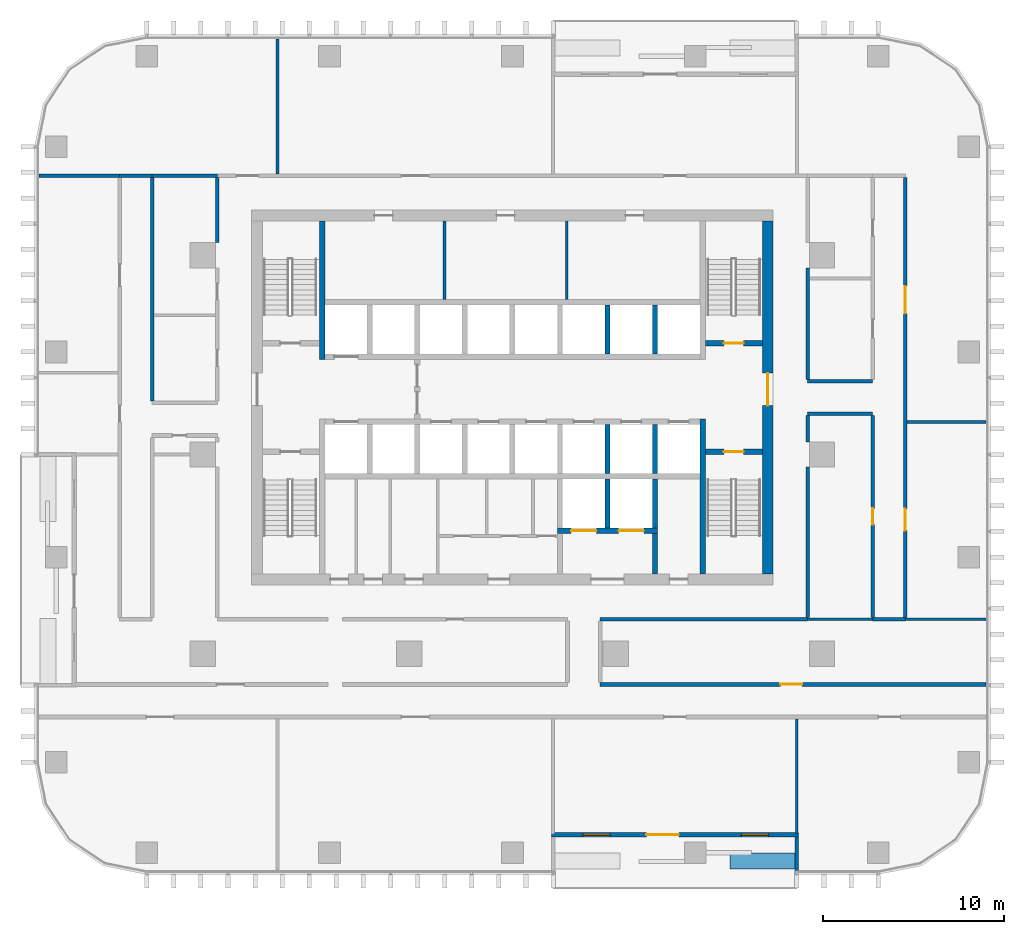
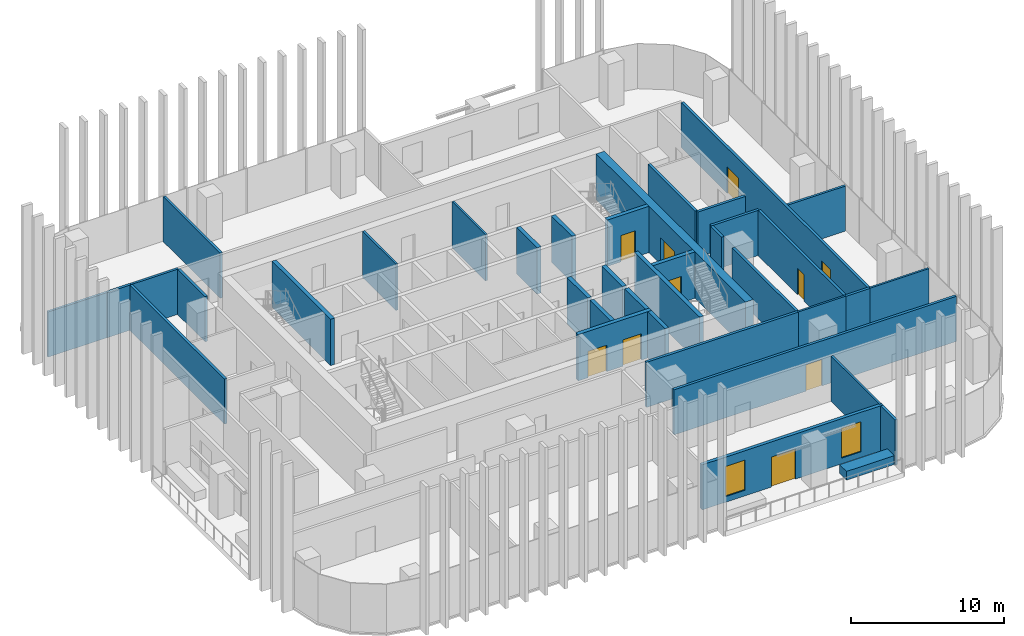
# One storey, part 9 of 16: 38 walls, 10 doors, 2 windows, 12 openings.
"""IFC4 building model written with IfcOpenShell, lengths in metres."""

from ifc_helpers import new_model, si_unit, direction, frame, frame_2d, origin, place, context, subcontext, project, spatial, rectangle, extrude, material, layer, layer_set, type_object, element, fill, save


model = new_model("IFC4")

# Units and contexts
model_context = context("Model", 3, precision=1e-05, world=origin(), true_north=direction((0.0, 1.0)))
body_context = subcontext(model_context, "Body", "Model", "MODEL_VIEW")
ifc_project = project(units=[si_unit("LENGTHUNIT", "METRE"), si_unit("AREAUNIT", "SQUARE_METRE"), si_unit("VOLUMEUNIT", "CUBIC_METRE"), si_unit("PLANEANGLEUNIT", "RADIAN"), si_unit("MASSUNIT", "GRAM", prefix="KILO")], contexts=[model_context])

# Site, building, storey
site_placement = place(None, origin())
site = spatial("IfcSite", under=ifc_project, at=site_placement, CompositionType="ELEMENT")
building_placement = place(site_placement, origin())
building = spatial("IfcBuilding", under=site, at=building_placement, Name="Mopane Tessera Tower", CompositionType="ELEMENT")
storey_placement = place(building_placement, frame((0.0, 0.0, 193.0)))
storey = spatial("IfcBuildingStorey", under=building, at=storey_placement, Name="L40", CompositionType="ELEMENT", Elevation=193.0)

# Walls
ifc_material_1 = material(Name="Fire-rated gypsum board partition")
ifc_layer_1 = layer(ifc_material_1, 0.14990234375)
ifc_layer_set_1 = layer_set([ifc_layer_1], Name="Fire-rated gypsum board partition")
wall_type_1 = type_object("IfcWallType", Name="Core room partition 150 mm", PredefinedType="PARTITIONING", material=ifc_layer_set_1)
for number, where, z_axis, x_axis, name in (
    (1, (-3.75, 8.550048828125, 0.0), (0.0, 0.0, 1.0), (0.0, 1.0, 0.0), "L40 Room partition"),
    (2, (3.0, 8.550048828125, 0.0), (0.0, 0.0, 1.0), (0.0, 1.0, 0.0), "L40 Room partition"),
):
    element("IfcWall", number, at=place(storey_placement, frame(where, z_axis=z_axis, x_axis=x_axis)), inside=storey, type_object=wall_type_1, Name=name, PredefinedType="PARTITIONING", context=body_context, shape_type="SweptSolid", body=[
        extrude(rectangle(XDim=4.349853515625, YDim=0.14990234375, at=frame_2d((2.1748046875, 0.0))), origin(), (0.0, 0.0, 1.0), 3.699951171875),
    ])

# Wall, opening, door
ifc_material_2 = material(Name="Concrete C70/85", Category="concrete")
ifc_layer_2 = layer(ifc_material_2, 0.60009765625)
ifc_layer_set_2 = layer_set([ifc_layer_2], Name="Concrete C70/85")
wall_type_2 = type_object("IfcWallType", Name="Core shear wall 600 mm", PredefinedType="SHEAR", material=ifc_layer_set_2)
wall_1_placement = place(storey_placement, frame((14.10009765625, -6.60009765625, 0.0), z_axis=(0.0, 0.0, 1.0), x_axis=(0.0, 1.0, 0.0)))
wall_1 = element("IfcWall", 3, at=wall_1_placement, inside=storey, type_object=wall_type_2, Name="L40 Core wall east", PredefinedType="SHEAR", context=body_context, shape_type="SweptSolid", body=[
    extrude(rectangle(XDim=19.5, YDim=0.60009765625, at=frame_2d((9.75, 0.0))), origin(), (0.0, 0.0, 1.0), 3.699951171875),
])
opening_1_placement = place(wall_1_placement, frame((9.300048828125, 0.0, 0.0)))
opening_1 = element("IfcOpeningElement", 4, at=opening_1_placement, cuts=wall_1, Name="Opening SD2", PredefinedType="OPENING", context=body_context, shape_type="SweptSolid", body=[
    extrude(rectangle(XDim=1.800048828125, YDim=2.10009765625, at=frame_2d((0.89990234375, 1.050048828125))), frame((0.0, 0.31201171875, 0.0), z_axis=(0.0, -1.0, 0.0), x_axis=(1.0, 0.0, 0.0)), (0.0, 0.0, 1.0), 0.6240234375),
])
ifc_material_3 = material(Name="Steel fire door", Category="steel")
door_type_1 = type_object("IfcDoorType", Name="Core entrance double door 1800 x 2100", OperationType="DOUBLE_DOOR_SINGLE_SWING", PredefinedType="DOOR", material=ifc_material_3)
door_1_placement = place(opening_1_placement, origin())
door_1 = element("IfcDoor", 5, at=door_1_placement, inside=storey, type_object=door_type_1, Name="L40 Core entrance door east", OperationType="DOUBLE_DOOR_SINGLE_SWING", OverallHeight=2.10009765625, OverallWidth=1.800048828125, PredefinedType="DOOR", context=body_context, shape_type="SweptSolid", body=[
    extrude(rectangle(XDim=1.800048828125, YDim=2.10009765625, at=frame_2d((0.89990234375, 1.050048828125))), frame((0.0, 0.02490234375, 0.0), z_axis=(0.0, -1.0, 0.0), x_axis=(1.0, 0.0, 0.0)), (0.0, 0.0, 1.0), 0.050048828125),
])
fill(opening_1, door_1)

# Walls
ifc_material_4 = material(Name="Concrete C60/75", Category="concrete")
ifc_layer_3 = layer(ifc_material_4, 0.300048828125)
ifc_layer_set_3 = layer_set([ifc_layer_3], Name="Concrete C60/75")
wall_type_3 = type_object("IfcWallType", Name="Core spine wall 300 mm", PredefinedType="SHEAR", material=ifc_layer_set_3)
wall_2_placement = place(storey_placement, frame((-10.5, 5.25, 0.0), z_axis=(0.0, 0.0, 1.0), x_axis=(0.0, 1.0, 0.0)))
element("IfcWall", 6, at=wall_2_placement, inside=storey, type_object=wall_type_3, Name="L40 Core spine wall", PredefinedType="SHEAR", context=body_context, shape_type="SweptSolid", body=[
    extrude(rectangle(XDim=7.64990234375, YDim=0.300048828125, at=frame_2d((3.824951171875, 0.0))), origin(), (0.0, 0.0, 1.0), 3.699951171875),
])
wall_3_placement = place(storey_placement, frame((10.5, -6.60009765625, 0.0), z_axis=(0.0, 0.0, 1.0), x_axis=(0.0, 1.0, 0.0)))
element("IfcWall", 7, at=wall_3_placement, inside=storey, type_object=wall_type_3, Name="L40 Core spine wall", PredefinedType="SHEAR", context=body_context, shape_type="SweptSolid", body=[
    extrude(rectangle(XDim=8.550048828125, YDim=0.300048828125, at=frame_2d((4.27490234375, 0.0))), origin(), (0.0, 0.0, 1.0), 3.699951171875),
])
ifc_material_5 = material(Name="Gypsum board on staggered steel studs, double layer each face, acoustic mineral wool infill", Category="steel")
ifc_layer_4 = layer(ifc_material_5, 0.175048828125)
ifc_layer_set_4 = layer_set([ifc_layer_4], Name="Gypsum board on staggered steel studs, double layer each face, acoustic mineral wool infill")
wall_type_4 = type_object("IfcWallType", Name="Gypsum board acoustic partition 175, rated EI 60", PredefinedType="PARTITIONING", material=ifc_layer_set_4)
wall_4_placement = place(storey_placement, frame((21.800048828125, 1.7900390625, 0.0), z_axis=(0.0, 0.0, 1.0), x_axis=(1.0, 0.0, 0.0)))
element("IfcWall", 8, at=wall_4_placement, inside=storey, type_object=wall_type_4, Name="Partition L40:014", PredefinedType="PARTITIONING", context=body_context, shape_type="SweptSolid", body=[
    extrude(rectangle(XDim=4.349853515625, YDim=0.175048828125, at=frame_2d((2.1748046875, 0.0))), origin(), (0.0, 0.0, 1.0), 3.60009765625),
])
wall_5_placement = place(storey_placement, frame((-26.14990234375, 15.39990234375, 0.0), z_axis=(0.0, 0.0, 1.0), x_axis=(1.0, 0.0, 0.0)))
element("IfcWall", 9, at=wall_5_placement, inside=storey, type_object=wall_type_4, Name="Partition L40:021", PredefinedType="PARTITIONING", context=body_context, shape_type="SweptSolid", body=[
    extrude(rectangle(XDim=4.449951171875, YDim=0.175048828125, at=frame_2d((2.22509765625, 0.0))), origin(), (0.0, 0.0, 1.0), 3.60009765625),
])
wall_6_placement = place(storey_placement, frame((-19.89990234375, 15.39990234375, 0.0), z_axis=(0.0, 0.0, 1.0), x_axis=(1.0, 0.0, 0.0)))
element("IfcWall", 10, at=wall_6_placement, inside=storey, type_object=wall_type_4, Name="Partition L40:022", PredefinedType="PARTITIONING", context=body_context, shape_type="SweptSolid", body=[
    extrude(rectangle(XDim=3.599853515625, YDim=0.175048828125, at=frame_2d((1.7998046875, 0.0))), origin(), (0.0, 0.0, 1.0), 3.60009765625),
])
wall_7_placement = place(storey_placement, frame((-12.97509765625, 15.5, 0.0), z_axis=(0.0, 0.0, 1.0), x_axis=(0.0, 1.0, 0.0)))
element("IfcWall", 11, at=wall_7_placement, inside=storey, type_object=wall_type_4, Name="Partition L40:035", PredefinedType="PARTITIONING", context=body_context, shape_type="SweptSolid", body=[
    extrude(rectangle(XDim=7.449951171875, YDim=0.175048828125, at=frame_2d((3.72509765625, 0.0))), origin(), (0.0, 0.0, 1.0), 3.60009765625),
])

# Wall, opening, door
ifc_material_6 = material(Name="Gypsum board on steel studs, two layers each face, mineral wool infill", Category="steel")
ifc_layer_5 = layer(ifc_material_6, 0.199951171875)
ifc_layer_set_5 = layer_set([ifc_layer_5], Name="Gypsum board on steel studs, two layers each face, mineral wool infill")
wall_type_5 = type_object("IfcWallType", Name="Gypsum board corridor wall 200, rated EI 60", PredefinedType="PARTITIONING", material=ifc_layer_set_5)
wall_8_placement = place(storey_placement, frame((4.840087890625, -12.699951171875, 0.0), z_axis=(0.0, 0.0, 1.0), x_axis=(1.0, 0.0, 0.0)))
wall_8 = element("IfcWall", 12, at=wall_8_placement, inside=storey, type_object=wall_type_5, Name="Partition L40:003", PredefinedType="PARTITIONING", context=body_context, shape_type="SweptSolid", body=[
    extrude(rectangle(XDim=21.309814453125, YDim=0.199951171875, at=frame_2d((10.65478515625, 0.0))), origin(), (0.0, 0.0, 1.0), 3.60009765625),
])
opening_2_placement = place(wall_8_placement, frame((9.955078125, 0.0, 0.0)))
opening_2 = element("IfcOpeningElement", 13, at=opening_2_placement, cuts=wall_8, Name="Opening L40-08", PredefinedType="OPENING", context=body_context, shape_type="SweptSolid", body=[
    extrude(rectangle(XDim=1.199951171875, YDim=2.10009765625, at=frame_2d((0.60009765625, 1.050048828125))), frame((0.0, 0.112060546875, 0.0), z_axis=(0.0, -1.0, 0.0), x_axis=(1.0, 0.0, 0.0)), (0.0, 0.0, 1.0), 0.223876953125),
])
ifc_material_7 = material(Name="Timber veneered steel-framed fire door", Category="steel")
door_type_2 = type_object("IfcDoorType", Name="Fire door FD60 1200 x 2100", OperationType="SINGLE_SWING_LEFT", PredefinedType="DOOR", material=ifc_material_7)
door_2_placement = place(opening_2_placement, origin())
door_2 = element("IfcDoor", 14, at=door_2_placement, inside=storey, type_object=door_type_2, Name="Door L40-08", ObjectType="D15A", OperationType="SINGLE_SWING_LEFT", OverallHeight=2.10009765625, OverallWidth=1.199951171875, PredefinedType="DOOR", context=body_context, shape_type="SweptSolid", body=[
    extrude(rectangle(XDim=1.199951171875, YDim=2.10009765625, at=frame_2d((0.60009765625, 1.050048828125))), frame((0.0, 0.02490234375, 0.0), z_axis=(0.0, -1.0, 0.0), x_axis=(1.0, 0.0, 0.0)), (0.0, 0.0, 1.0), 0.050048828125),
])
fill(opening_2, door_2)

# Walls
wall_9_placement = place(storey_placement, frame((4.840087890625, -9.10009765625, 0.0), z_axis=(0.0, 0.0, 1.0), x_axis=(1.0, 0.0, 0.0)))
element("IfcWall", 15, at=wall_9_placement, inside=storey, type_object=wall_type_5, Name="Partition L40:009", PredefinedType="PARTITIONING", context=body_context, shape_type="SweptSolid", body=[
    extrude(rectangle(XDim=11.4599609375, YDim=0.199951171875, at=frame_2d((5.72998046875, 0.0))), origin(), (0.0, 0.0, 1.0), 3.60009765625),
])
wall_10_placement = place(storey_placement, frame((19.89990234375, -9.10009765625, 0.0), z_axis=(0.0, 0.0, 1.0), x_axis=(1.0, 0.0, 0.0)))
element("IfcWall", 16, at=wall_10_placement, inside=storey, type_object=wall_type_5, Name="Partition L40:010", PredefinedType="PARTITIONING", context=body_context, shape_type="SweptSolid", body=[
    extrude(rectangle(XDim=1.800048828125, YDim=0.199951171875, at=frame_2d((0.89990234375, 0.0))), origin(), (0.0, 0.0, 1.0), 3.60009765625),
])
for number, where, z_axis, x_axis, name in (
    (17, (16.300048828125, 2.25, 0.0), (0.0, 0.0, 1.0), (1.0, 0.0, 0.0), "Partition L40:015"),
    (18, (16.300048828125, 4.050048828125, 0.0), (0.0, 0.0, 1.0), (1.0, 0.0, 0.0), "Partition L40:017"),
):
    element("IfcWall", number, at=place(storey_placement, frame(where, z_axis=z_axis, x_axis=x_axis)), inside=storey, type_object=wall_type_5, Name=name, PredefinedType="PARTITIONING", context=body_context, shape_type="SweptSolid", body=[
        extrude(rectangle(XDim=3.599853515625, YDim=0.199951171875, at=frame_2d((1.7998046875, 0.0))), origin(), (0.0, 0.0, 1.0), 3.60009765625),
    ])
wall_11_placement = place(storey_placement, frame((-21.699951171875, 15.39990234375, 0.0), z_axis=(0.0, 0.0, 1.0), x_axis=(1.0, 0.0, 0.0)))
element("IfcWall", 19, at=wall_11_placement, inside=storey, type_object=wall_type_5, Name="Partition L40:024", PredefinedType="PARTITIONING", context=body_context, shape_type="SweptSolid", body=[
    extrude(rectangle(XDim=1.800048828125, YDim=0.199951171875, at=frame_2d((0.89990234375, 0.0))), origin(), (0.0, 0.0, 1.0), 3.60009765625),
])
wall_12_placement = place(storey_placement, frame((-19.89990234375, 2.949951171875, 0.0), z_axis=(0.0, 0.0, 1.0), x_axis=(0.0, 1.0, 0.0)))
element("IfcWall", 20, at=wall_12_placement, inside=storey, type_object=wall_type_5, Name="Partition L40:029", PredefinedType="PARTITIONING", context=body_context, shape_type="SweptSolid", body=[
    extrude(rectangle(XDim=12.35009765625, YDim=0.199951171875, at=frame_2d((6.175048828125, 0.0))), origin(), (0.0, 0.0, 1.0), 3.60009765625),
])
wall_13_placement = place(storey_placement, frame((-16.300048828125, 11.699951171875, 0.0), z_axis=(0.0, 0.0, 1.0), x_axis=(0.0, 1.0, 0.0)))
element("IfcWall", 21, at=wall_13_placement, inside=storey, type_object=wall_type_5, Name="Partition L40:033", PredefinedType="PARTITIONING", context=body_context, shape_type="SweptSolid", body=[
    extrude(rectangle(XDim=3.60009765625, YDim=0.199951171875, at=frame_2d((1.800048828125, 0.0))), origin(), (0.0, 0.0, 1.0), 3.60009765625),
])
wall_14_placement = place(storey_placement, frame((16.300048828125, -9.0, 0.0), z_axis=(0.0, 0.0, 1.0), x_axis=(0.0, 1.0, 0.0)))
element("IfcWall", 22, at=wall_14_placement, inside=storey, type_object=wall_type_5, Name="Partition L40:042", PredefinedType="PARTITIONING", context=body_context, shape_type="SweptSolid", body=[
    extrude(rectangle(XDim=8.300048828125, YDim=0.199951171875, at=frame_2d((4.14990234375, 0.0))), origin(), (0.0, 0.0, 1.0), 3.60009765625),
])
wall_15_placement = place(storey_placement, frame((16.300048828125, 0.699951171875, 0.0), z_axis=(0.0, 0.0, 1.0), x_axis=(0.0, 1.0, 0.0)))
element("IfcWall", 23, at=wall_15_placement, inside=storey, type_object=wall_type_5, Name="Partition L40:043", PredefinedType="PARTITIONING", context=body_context, shape_type="SweptSolid", body=[
    extrude(rectangle(XDim=1.449951171875, YDim=0.199951171875, at=frame_2d((0.72509765625, 0.0))), origin(), (0.0, 0.0, 1.0), 3.60009765625),
])
wall_16_placement = place(storey_placement, frame((16.300048828125, 4.14990234375, 0.0), z_axis=(0.0, 0.0, 1.0), x_axis=(0.0, 1.0, 0.0)))
element("IfcWall", 24, at=wall_16_placement, inside=storey, type_object=wall_type_5, Name="Partition L40:044", PredefinedType="PARTITIONING", context=body_context, shape_type="SweptSolid", body=[
    extrude(rectangle(XDim=6.150146484375, YDim=0.199951171875, at=frame_2d((3.0751953125, 0.0))), origin(), (0.0, 0.0, 1.0), 3.60009765625),
])

# Wall, opening, door
wall_17_placement = place(storey_placement, frame((19.89990234375, -9.0, 0.0), z_axis=(0.0, 0.0, 1.0), x_axis=(0.0, 1.0, 0.0)))
wall_17 = element("IfcWall", 25, at=wall_17_placement, inside=storey, type_object=wall_type_5, Name="Partition L40:046", PredefinedType="PARTITIONING", context=body_context, shape_type="SweptSolid", body=[
    extrude(rectangle(XDim=11.14990234375, YDim=0.199951171875, at=frame_2d((5.574951171875, 0.0))), origin(), (0.0, 0.0, 1.0), 3.60009765625),
])
opening_3_placement = place(wall_17_placement, frame((5.125, 0.0, 0.0)))
opening_3 = element("IfcOpeningElement", 26, at=opening_3_placement, cuts=wall_17, Name="Opening L40-06", PredefinedType="OPENING", context=body_context, shape_type="SweptSolid", body=[
    extrude(rectangle(XDim=0.89990234375, YDim=2.10009765625, at=frame_2d((0.449951171875, 1.050048828125))), frame((0.0, 0.112060546875, 0.0), z_axis=(0.0, -1.0, 0.0), x_axis=(1.0, 0.0, 0.0)), (0.0, 0.0, 1.0), 0.223876953125),
])
ifc_material_8 = material(Name="Timber veneered steel-framed fire door", Category="steel")
door_type_3 = type_object("IfcDoorType", Name="Fire door FD60 900 x 2100", OperationType="SINGLE_SWING_LEFT", PredefinedType="DOOR", material=ifc_material_8)
door_3_placement = place(opening_3_placement, origin())
door_3 = element("IfcDoor", 27, at=door_3_placement, inside=storey, type_object=door_type_3, Name="Door L40-06", ObjectType="D10A", OperationType="SINGLE_SWING_LEFT", OverallHeight=2.10009765625, OverallWidth=0.89990234375, PredefinedType="DOOR", context=body_context, shape_type="SweptSolid", body=[
    extrude(rectangle(XDim=0.89990234375, YDim=2.10009765625, at=frame_2d((0.449951171875, 1.050048828125))), frame((0.0, 0.02490234375, 0.0), z_axis=(0.0, -1.0, 0.0), x_axis=(1.0, 0.0, 0.0)), (0.0, 0.0, 1.0), 0.050048828125),
])
fill(opening_3, door_3)

# Wall, openings, doors
wall_18_placement = place(storey_placement, frame((21.699951171875, -9.0, 0.0), z_axis=(0.0, 0.0, 1.0), x_axis=(0.0, 1.0, 0.0)))
wall_18 = element("IfcWall", 28, at=wall_18_placement, inside=storey, type_object=wall_type_5, Name="Partition L40:048", PredefinedType="PARTITIONING", context=body_context, shape_type="SweptSolid", body=[
    extrude(rectangle(XDim=24.300048828125, YDim=0.199951171875, at=frame_2d((12.14990234375, 0.0))), origin(), (0.0, 0.0, 1.0), 3.60009765625),
])
opening_4_placement = place(wall_18_placement, frame((4.794921875, 0.0, 0.0)))
opening_4 = element("IfcOpeningElement", 29, at=opening_4_placement, cuts=wall_18, Name="Opening L40-14", PredefinedType="OPENING", context=body_context, shape_type="SweptSolid", body=[
    extrude(rectangle(XDim=1.199951171875, YDim=2.10009765625, at=frame_2d((0.60009765625, 1.050048828125))), frame((0.0, 0.112060546875, 0.0), z_axis=(0.0, -1.0, 0.0), x_axis=(1.0, 0.0, 0.0)), (0.0, 0.0, 1.0), 0.223876953125),
])
opening_5_placement = place(wall_18_placement, frame((16.794921875, 0.0, 0.0)))
opening_5 = element("IfcOpeningElement", 30, at=opening_5_placement, cuts=wall_18, Name="Opening L40-17", PredefinedType="OPENING", context=body_context, shape_type="SweptSolid", body=[
    extrude(rectangle(XDim=1.5, YDim=2.10009765625, at=frame_2d((0.75, 1.050048828125))), frame((0.0, 0.112060546875, 0.0), z_axis=(0.0, -1.0, 0.0), x_axis=(1.0, 0.0, 0.0)), (0.0, 0.0, 1.0), 0.223876953125),
])
door_4_placement = place(opening_4_placement, origin())
door_4 = element("IfcDoor", 31, at=door_4_placement, inside=storey, type_object=door_type_2, Name="Door L40-14", ObjectType="D15A", OperationType="SINGLE_SWING_RIGHT", OverallHeight=2.10009765625, OverallWidth=1.199951171875, PredefinedType="DOOR", context=body_context, shape_type="SweptSolid", body=[
    extrude(rectangle(XDim=1.199951171875, YDim=2.10009765625, at=frame_2d((0.60009765625, 1.050048828125))), frame((0.0, 0.02490234375, 0.0), z_axis=(0.0, -1.0, 0.0), x_axis=(1.0, 0.0, 0.0)), (0.0, 0.0, 1.0), 0.050048828125),
])
fill(opening_4, door_4)
ifc_material_9 = material(Name="Timber veneered steel-framed fire door", Category="steel")
door_type_4 = type_object("IfcDoorType", Name="Fire door pair FD60 1500 x 2100", OperationType="DOUBLE_DOOR_SINGLE_SWING", PredefinedType="DOOR", material=ifc_material_9)
door_5_placement = place(opening_5_placement, origin())
door_5 = element("IfcDoor", 32, at=door_5_placement, inside=storey, type_object=door_type_4, Name="Door L40-17", ObjectType="D17A", OperationType="DOUBLE_DOOR_SINGLE_SWING", OverallHeight=2.10009765625, OverallWidth=1.5, PredefinedType="DOOR", context=body_context, shape_type="SweptSolid", body=[
    extrude(rectangle(XDim=1.5, YDim=2.10009765625, at=frame_2d((0.75, 1.050048828125))), frame((0.0, 0.02490234375, 0.0), z_axis=(0.0, -1.0, 0.0), x_axis=(1.0, 0.0, 0.0)), (0.0, 0.0, 1.0), 0.050048828125),
])
fill(opening_5, door_5)

# Walls
ifc_material_10 = material(Name="Gypsum board on steel studs, mineral wool infill", Category="steel")
ifc_layer_6 = layer(ifc_material_10, 0.14990234375)
ifc_layer_set_6 = layer_set([ifc_layer_6], Name="Gypsum board on steel studs, mineral wool infill")
wall_type_6 = type_object("IfcWallType", Name="Gypsum board partition 150, rated EI 60", PredefinedType="PARTITIONING", material=ifc_layer_set_6)
wall_19_placement = place(storey_placement, frame((16.300048828125, -9.10009765625, 0.0), z_axis=(0.0, 0.0, 1.0), x_axis=(1.0, 0.0, 0.0)))
element("IfcWall", 33, at=wall_19_placement, inside=storey, type_object=wall_type_6, Name="Partition L40:004", PredefinedType="PARTITIONING", context=body_context, shape_type="SweptSolid", body=[
    extrude(rectangle(XDim=3.599853515625, YDim=0.14990234375, at=frame_2d((1.7998046875, 0.0))), origin(), (0.0, 0.0, 1.0), 3.60009765625),
])
wall_20_placement = place(storey_placement, frame((21.699951171875, -9.10009765625, 0.0), z_axis=(0.0, 0.0, 1.0), x_axis=(1.0, 0.0, 0.0)))
element("IfcWall", 34, at=wall_20_placement, inside=storey, type_object=wall_type_6, Name="Partition L40:005", PredefinedType="PARTITIONING", context=body_context, shape_type="SweptSolid", body=[
    extrude(rectangle(XDim=4.449951171875, YDim=0.14990234375, at=frame_2d((2.22509765625, 0.0))), origin(), (0.0, 0.0, 1.0), 3.60009765625),
])
wall_21_placement = place(storey_placement, frame((15.7099609375, -20.949951171875, 0.0), z_axis=(0.0, 0.0, 1.0), x_axis=(0.0, 1.0, 0.0)))
element("IfcWall", 35, at=wall_21_placement, inside=storey, type_object=wall_type_6, Name="Partition L40:040", PredefinedType="PARTITIONING", context=body_context, shape_type="SweptSolid", body=[
    extrude(rectangle(XDim=6.349853515625, YDim=0.14990234375, at=frame_2d((3.1748046875, 0.0))), origin(), (0.0, 0.0, 1.0), 3.60009765625),
])

# Wall, opening, door
ifc_material_11 = material(Name="Concrete C50/60", Category="concrete")
ifc_layer_7 = layer(ifc_material_11, 0.300048828125)
ifc_layer_set_7 = layer_set([ifc_layer_7], Name="Concrete C50/60")
wall_type_7 = type_object("IfcWallType", Name="Lift and stair shaft wall 300 mm", PredefinedType="SOLIDWALL", material=ifc_layer_set_7)
wall_22_placement = place(storey_placement, frame((10.64990234375, 0.14990234375, 0.0), z_axis=(0.0, 0.0, 1.0), x_axis=(1.0, 0.0, 0.0)))
wall_22 = element("IfcWall", 36, at=wall_22_placement, inside=storey, type_object=wall_type_7, Name="L40 Stair enclosure wall", PredefinedType="SOLIDWALL", context=body_context, shape_type="SweptSolid", body=[
    extrude(rectangle(XDim=3.150146484375, YDim=0.300048828125, at=frame_2d((1.5751953125, 0.0))), origin(), (0.0, 0.0, 1.0), 3.699951171875),
])
opening_6_placement = place(wall_22_placement, frame((1.02490234375, 0.0, 0.0)))
opening_6 = element("IfcOpeningElement", 37, at=opening_6_placement, cuts=wall_22, Name="Opening SD1", PredefinedType="OPENING", context=body_context, shape_type="SweptSolid", body=[
    extrude(rectangle(XDim=1.10009765625, YDim=2.10009765625, at=frame_2d((0.550048828125, 1.050048828125))), frame((0.0, 0.162109375, 0.0), z_axis=(0.0, -1.0, 0.0), x_axis=(1.0, 0.0, 0.0)), (0.0, 0.0, 1.0), 0.323974609375),
])
ifc_material_12 = material(Name="Steel fire door", Category="steel")
door_type_5 = type_object("IfcDoorType", Name="Stair fire door 1100 x 2100", OperationType="SINGLE_SWING_LEFT", PredefinedType="DOOR", material=ifc_material_12)
door_6_placement = place(opening_6_placement, origin())
door_6 = element("IfcDoor", 38, at=door_6_placement, inside=storey, type_object=door_type_5, Name="L40 Stair door ST3", OperationType="SINGLE_SWING_RIGHT", OverallHeight=2.10009765625, OverallWidth=1.10009765625, PredefinedType="DOOR", context=body_context, shape_type="SweptSolid", body=[
    extrude(rectangle(XDim=1.10009765625, YDim=2.10009765625, at=frame_2d((0.550048828125, 1.050048828125))), frame((0.0, 0.02490234375, 0.0), z_axis=(0.0, -1.0, 0.0), x_axis=(1.0, 0.0, 0.0)), (0.0, 0.0, 1.0), 0.050048828125),
])
fill(opening_6, door_6)

wall_23_placement = place(storey_placement, frame((10.64990234375, 6.14990234375, 0.0), z_axis=(0.0, 0.0, 1.0), x_axis=(1.0, 0.0, 0.0)))
wall_23 = element("IfcWall", 39, at=wall_23_placement, inside=storey, type_object=wall_type_7, Name="L40 Stair enclosure wall", PredefinedType="SOLIDWALL", context=body_context, shape_type="SweptSolid", body=[
    extrude(rectangle(XDim=3.150146484375, YDim=0.300048828125, at=frame_2d((1.5751953125, 0.0))), origin(), (0.0, 0.0, 1.0), 3.699951171875),
])
opening_7_placement = place(wall_23_placement, frame((1.02490234375, 0.0, 0.0)))
opening_7 = element("IfcOpeningElement", 40, at=opening_7_placement, cuts=wall_23, Name="Opening SD1", PredefinedType="OPENING", context=body_context, shape_type="SweptSolid", body=[
    extrude(rectangle(XDim=1.10009765625, YDim=2.10009765625, at=frame_2d((0.550048828125, 1.050048828125))), frame((0.0, 0.162109375, 0.0), z_axis=(0.0, -1.0, 0.0), x_axis=(1.0, 0.0, 0.0)), (0.0, 0.0, 1.0), 0.323974609375),
])
door_7_placement = place(opening_7_placement, origin())
door_7 = element("IfcDoor", 41, at=door_7_placement, inside=storey, type_object=door_type_5, Name="L40 Stair door ST4", OperationType="SINGLE_SWING_RIGHT", OverallHeight=2.10009765625, OverallWidth=1.10009765625, PredefinedType="DOOR", context=body_context, shape_type="SweptSolid", body=[
    extrude(rectangle(XDim=1.10009765625, YDim=2.10009765625, at=frame_2d((0.550048828125, 1.050048828125))), frame((0.0, 0.02490234375, 0.0), z_axis=(0.0, -1.0, 0.0), x_axis=(1.0, 0.0, 0.0)), (0.0, 0.0, 1.0), 0.050048828125),
])
fill(opening_7, door_7)

# Walls
for number, where, z_axis, x_axis, name in (
    (42, (5.25, -1.050048828125, 0.0), (0.0, 0.0, 1.0), (0.0, 1.0, 0.0), "L40 Lift shaft wall"),
    (43, (7.875, -1.050048828125, 0.0), (0.0, 0.0, 1.0), (0.0, 1.0, 0.0), "L40 Lift shaft wall"),
    (44, (5.25, 5.550048828125, 0.0), (0.0, 0.0, 1.0), (0.0, 1.0, 0.0), "L40 Lift shaft wall"),
    (45, (7.875, 5.550048828125, 0.0), (0.0, 0.0, 1.0), (0.0, 1.0, 0.0), "L40 Lift shaft wall"),
):
    element("IfcWall", number, at=place(storey_placement, frame(where, z_axis=z_axis, x_axis=x_axis)), inside=storey, type_object=wall_type_7, Name=name, PredefinedType="SOLIDWALL", context=body_context, shape_type="SweptSolid", body=[
        extrude(rectangle(XDim=2.699951171875, YDim=0.300048828125, at=frame_2d((1.35009765625, 0.0))), origin(), (0.0, 0.0, 1.0), 3.699951171875),
    ])

# Wall, openings, doors
wall_24_placement = place(storey_placement, frame((2.47509765625, -4.199951171875, 0.0), z_axis=(0.0, 0.0, 1.0), x_axis=(1.0, 0.0, 0.0)))
wall_24 = element("IfcWall", 46, at=wall_24_placement, inside=storey, type_object=wall_type_7, Name="L40 Lift shaft front wall", PredefinedType="SOLIDWALL", context=body_context, shape_type="SweptSolid", body=[
    extrude(rectangle(XDim=5.5498046875, YDim=0.300048828125, at=frame_2d((2.77490234375, 0.0))), origin(), (0.0, 0.0, 1.0), 3.699951171875),
])
opening_8_placement = place(wall_24_placement, frame((0.762451171875, 0.0, 0.0)))
opening_8 = element("IfcOpeningElement", 47, at=opening_8_placement, cuts=wall_24, Name="Opening LD3", PredefinedType="OPENING", context=body_context, shape_type="SweptSolid", body=[
    extrude(rectangle(XDim=1.39990234375, YDim=2.10009765625, at=frame_2d((0.699951171875, 1.050048828125))), frame((0.0, 0.162109375, 0.0), z_axis=(0.0, -1.0, 0.0), x_axis=(1.0, 0.0, 0.0)), (0.0, 0.0, 1.0), 0.323974609375),
])
opening_9_placement = place(wall_24_placement, frame((3.387451171875, 0.0, 0.0)))
opening_9 = element("IfcOpeningElement", 48, at=opening_9_placement, cuts=wall_24, Name="Opening LD3", PredefinedType="OPENING", context=body_context, shape_type="SweptSolid", body=[
    extrude(rectangle(XDim=1.39990234375, YDim=2.10009765625, at=frame_2d((0.699951171875, 1.050048828125))), frame((0.0, 0.162109375, 0.0), z_axis=(0.0, -1.0, 0.0), x_axis=(1.0, 0.0, 0.0)), (0.0, 0.0, 1.0), 0.323974609375),
])
ifc_material_13 = material(Name="Stainless steel sliding door", Category="steel")
door_type_6 = type_object("IfcDoorType", Name="Service lift landing door 1400 x 2100", OperationType="DOUBLE_DOOR_SLIDING", PredefinedType="DOOR", material=ifc_material_13)
door_8_placement = place(opening_8_placement, origin())
door_8 = element("IfcDoor", 49, at=door_8_placement, inside=storey, type_object=door_type_6, Name="L40 Lift landing door SV1", OperationType="DOUBLE_DOOR_SLIDING", OverallHeight=2.10009765625, OverallWidth=1.39990234375, PredefinedType="DOOR", context=body_context, shape_type="SweptSolid", body=[
    extrude(rectangle(XDim=1.39990234375, YDim=2.10009765625, at=frame_2d((0.699951171875, 1.050048828125))), frame((0.0, 0.02490234375, 0.0), z_axis=(0.0, -1.0, 0.0), x_axis=(1.0, 0.0, 0.0)), (0.0, 0.0, 1.0), 0.050048828125),
])
fill(opening_8, door_8)
door_9_placement = place(opening_9_placement, origin())
door_9 = element("IfcDoor", 50, at=door_9_placement, inside=storey, type_object=door_type_6, Name="L40 Lift landing door SV2", OperationType="DOUBLE_DOOR_SLIDING", OverallHeight=2.10009765625, OverallWidth=1.39990234375, PredefinedType="DOOR", context=body_context, shape_type="SweptSolid", body=[
    extrude(rectangle(XDim=1.39990234375, YDim=2.10009765625, at=frame_2d((0.699951171875, 1.050048828125))), frame((0.0, 0.02490234375, 0.0), z_axis=(0.0, -1.0, 0.0), x_axis=(1.0, 0.0, 0.0)), (0.0, 0.0, 1.0), 0.050048828125),
])
fill(opening_9, door_9)

# Walls
for number, where, z_axis, x_axis, name in (
    (51, (5.25, -4.050048828125, 0.0), (0.0, 0.0, 1.0), (0.0, 1.0, 0.0), "L40 Lift shaft wall"),
    (52, (7.875, -4.050048828125, 0.0), (0.0, 0.0, 1.0), (0.0, 1.0, 0.0), "L40 Lift shaft wall"),
):
    element("IfcWall", number, at=place(storey_placement, frame(where, z_axis=z_axis, x_axis=x_axis)), inside=storey, type_object=wall_type_7, Name=name, PredefinedType="SOLIDWALL", context=body_context, shape_type="SweptSolid", body=[
        extrude(rectangle(XDim=2.699951171875, YDim=0.300048828125, at=frame_2d((1.35009765625, 0.0))), origin(), (0.0, 0.0, 1.0), 3.699951171875),
    ])
ifc_material_14 = material(Name="Concrete C50/60", Category="concrete")
ifc_layer_8 = layer(ifc_material_14, 0.300048828125)
ifc_layer_set_8 = layer_set([ifc_layer_8], Name="Concrete C50/60")
wall_type_8 = type_object("IfcWallType", Name="Lobby and refuge room wall 300 mm", PredefinedType="SOLIDWALL", material=ifc_layer_set_8)
wall_25_placement = place(storey_placement, frame((7.875, -6.60009765625, 0.0), z_axis=(0.0, 0.0, 1.0), x_axis=(0.0, 1.0, 0.0)))
element("IfcWall", 53, at=wall_25_placement, inside=storey, type_object=wall_type_8, Name="L40 Service lobby wall", PredefinedType="SOLIDWALL", context=body_context, shape_type="SweptSolid", body=[
    extrude(rectangle(XDim=2.25, YDim=0.300048828125, at=frame_2d((1.125, 0.0))), origin(), (0.0, 0.0, 1.0), 3.699951171875),
])
ifc_material_15 = material(Name="Reinforced concrete C32/40 with waterproofing", Category="concrete")
ifc_layer_9 = layer(ifc_material_15, 0.89990234375)
ifc_layer_set_9 = layer_set([ifc_layer_9], Name="Reinforced concrete C32/40 with waterproofing")
wall_type_9 = type_object("IfcWallType", Name="Planter trough 3600 x 900", PredefinedType="STANDARD", material=ifc_layer_set_9)
wall_26_placement = place(storey_placement, frame((12.01123046875, -22.449951171875, 0.0), z_axis=(0.0, 0.0, 1.0), x_axis=(1.0, 0.0, 0.0)))
element("IfcWall", 54, at=wall_26_placement, inside=storey, type_object=wall_type_9, Name="e:nw:L40:N2:pl1", PredefinedType="STANDARD", context=body_context, shape_type="SweptSolid", body=[
    extrude(rectangle(XDim=3.599853515625, YDim=0.89990234375, at=frame_2d((1.7998046875, 0.0))), origin(), (0.0, 0.0, 1.0), 0.699951171875),
])
ifc_material_16 = material(Name="Blockwork with glazed tile facing", Category="masonry")
ifc_layer_10 = layer(ifc_material_16, 0.199951171875)
ifc_layer_set_10 = layer_set([ifc_layer_10], Name="Blockwork with glazed tile facing")
wall_type_10 = type_object("IfcWallType", Name="Terrace cheek wall 200", PredefinedType="STANDARD", material=ifc_layer_set_10)
wall_27_placement = place(storey_placement, frame((15.711181640625, -23.0, 0.0), z_axis=(0.0, 0.0, 1.0), x_axis=(0.0, 1.0, 0.0)))
element("IfcWall", 55, at=wall_27_placement, inside=storey, type_object=wall_type_10, Name="e:nw:L40:N2:cheekb", PredefinedType="STANDARD", context=body_context, shape_type="SweptSolid", body=[
    extrude(rectangle(XDim=1.875, YDim=0.199951171875, at=frame_2d((0.9375, 0.0))), origin(), (0.0, 0.0, 1.0), 3.60009765625),
])

# Wall, openings, windows, door
ifc_material_17 = material(Name="Blockwork with turquoise glazed tile facing", Category="masonry")
ifc_layer_11 = layer(ifc_material_17, 0.25)
ifc_layer_set_11 = layer_set([ifc_layer_11], Name="Blockwork with turquoise glazed tile facing")
wall_type_11 = type_object("IfcWallType", Name="Tile-clad external wall 250, turquoise", PredefinedType="STANDARD", material=ifc_layer_set_11)
wall_28_placement = place(storey_placement, frame((2.14453125, -21.0, 0.0), z_axis=(0.0, 0.0, 1.0), x_axis=(1.0, 0.0, 0.0)))
wall_28 = element("IfcWall", 56, at=wall_28_placement, inside=storey, type_object=wall_type_11, Name="e:nw:L40:N2:back", PredefinedType="STANDARD", context=body_context, shape_type="SweptSolid", body=[
    extrude(rectangle(XDim=13.66650390625, YDim=0.25, at=frame_2d((6.833251953125, 0.0))), origin(), (0.0, 0.0, 1.0), 3.60009765625),
])
opening_10_placement = place(wall_28_placement, frame((1.75, 0.0, 0.449951171875)))
opening_10 = element("IfcOpeningElement", 57, at=opening_10_placement, cuts=wall_28, Name="Opening NW402A", PredefinedType="OPENING", context=body_context, shape_type="SweptSolid", body=[
    extrude(rectangle(XDim=1.5, YDim=2.39990234375, at=frame_2d((0.75, 1.199951171875))), frame((0.0, 0.136962890625, 0.0), z_axis=(0.0, -1.0, 0.0), x_axis=(1.0, 0.0, 0.0)), (0.0, 0.0, 1.0), 0.27392578125),
])
opening_11_placement = place(wall_28_placement, frame((5.25, 0.0, 0.0)))
opening_11 = element("IfcOpeningElement", 58, at=opening_11_placement, cuts=wall_28, Name="Opening ND402", PredefinedType="OPENING", context=body_context, shape_type="SweptSolid", body=[
    extrude(rectangle(XDim=1.800048828125, YDim=2.39990234375, at=frame_2d((0.89990234375, 1.199951171875))), frame((0.0, 0.136962890625, 0.0), z_axis=(0.0, -1.0, 0.0), x_axis=(1.0, 0.0, 0.0)), (0.0, 0.0, 1.0), 0.27392578125),
])
opening_12_placement = place(wall_28_placement, frame((10.5, 0.0, 0.449951171875)))
opening_12 = element("IfcOpeningElement", 59, at=opening_12_placement, cuts=wall_28, Name="Opening NW402B", PredefinedType="OPENING", context=body_context, shape_type="SweptSolid", body=[
    extrude(rectangle(XDim=1.5, YDim=2.39990234375, at=frame_2d((0.75, 1.199951171875))), frame((0.0, 0.136962890625, 0.0), z_axis=(0.0, -1.0, 0.0), x_axis=(1.0, 0.0, 0.0)), (0.0, 0.0, 1.0), 0.27392578125),
])
ifc_material_18 = material(Name="Clear laminated glass", Category="glass")
window_type = type_object("IfcWindowType", Name="Fixed window 1500 x 2400", PartitioningType="SINGLE_PANEL", PredefinedType="WINDOW", material=ifc_material_18)
window_1_placement = place(opening_10_placement, origin())
window_1 = element("IfcWindow", 60, at=window_1_placement, inside=storey, type_object=window_type, Name="e:nw:L40:N2:win0", OverallHeight=2.39990234375, OverallWidth=1.5, PartitioningType="SINGLE_PANEL", PredefinedType="WINDOW", context=body_context, shape_type="SweptSolid", body=[
    extrude(rectangle(XDim=1.5, YDim=2.39990234375, at=frame_2d((0.75, 1.199951171875))), frame((0.0, 0.030029296875, 0.0), z_axis=(0.0, -1.0, 0.0), x_axis=(1.0, 0.0, 0.0)), (0.0, 0.0, 1.0), 0.06005859375),
])
fill(opening_10, window_1)
window_2_placement = place(opening_12_placement, origin())
window_2 = element("IfcWindow", 61, at=window_2_placement, inside=storey, type_object=window_type, Name="e:nw:L40:N2:win2", OverallHeight=2.39990234375, OverallWidth=1.5, PartitioningType="SINGLE_PANEL", PredefinedType="WINDOW", context=body_context, shape_type="SweptSolid", body=[
    extrude(rectangle(XDim=1.5, YDim=2.39990234375, at=frame_2d((0.75, 1.199951171875))), frame((0.0, 0.030029296875, 0.0), z_axis=(0.0, -1.0, 0.0), x_axis=(1.0, 0.0, 0.0)), (0.0, 0.0, 1.0), 0.06005859375),
])
fill(opening_12, window_2)
ifc_material_19 = material(Name="Aluminium and clear glass", Category="aluminium")
door_type_7 = type_object("IfcDoorType", Name="Terrace double door 1800 x 2400", OperationType="DOUBLE_DOOR_SINGLE_SWING", PredefinedType="DOOR", material=ifc_material_19)
door_10_placement = place(opening_11_placement, origin())
door_10 = element("IfcDoor", 62, at=door_10_placement, inside=storey, type_object=door_type_7, Name="e:nw:L40:N2:door", ObjectType="D1", OperationType="DOUBLE_DOOR_SINGLE_SWING", OverallHeight=2.39990234375, OverallWidth=1.800048828125, PredefinedType="DOOR", context=body_context, shape_type="SweptSolid", body=[
    extrude(rectangle(XDim=1.800048828125, YDim=2.39990234375, at=frame_2d((0.89990234375, 1.199951171875))), frame((0.0, 0.02490234375, 0.0), z_axis=(0.0, -1.0, 0.0), x_axis=(1.0, 0.0, 0.0)), (0.0, 0.0, 1.0), 0.050048828125),
])
fill(opening_11, door_10)

save(model, "model.ifc")
